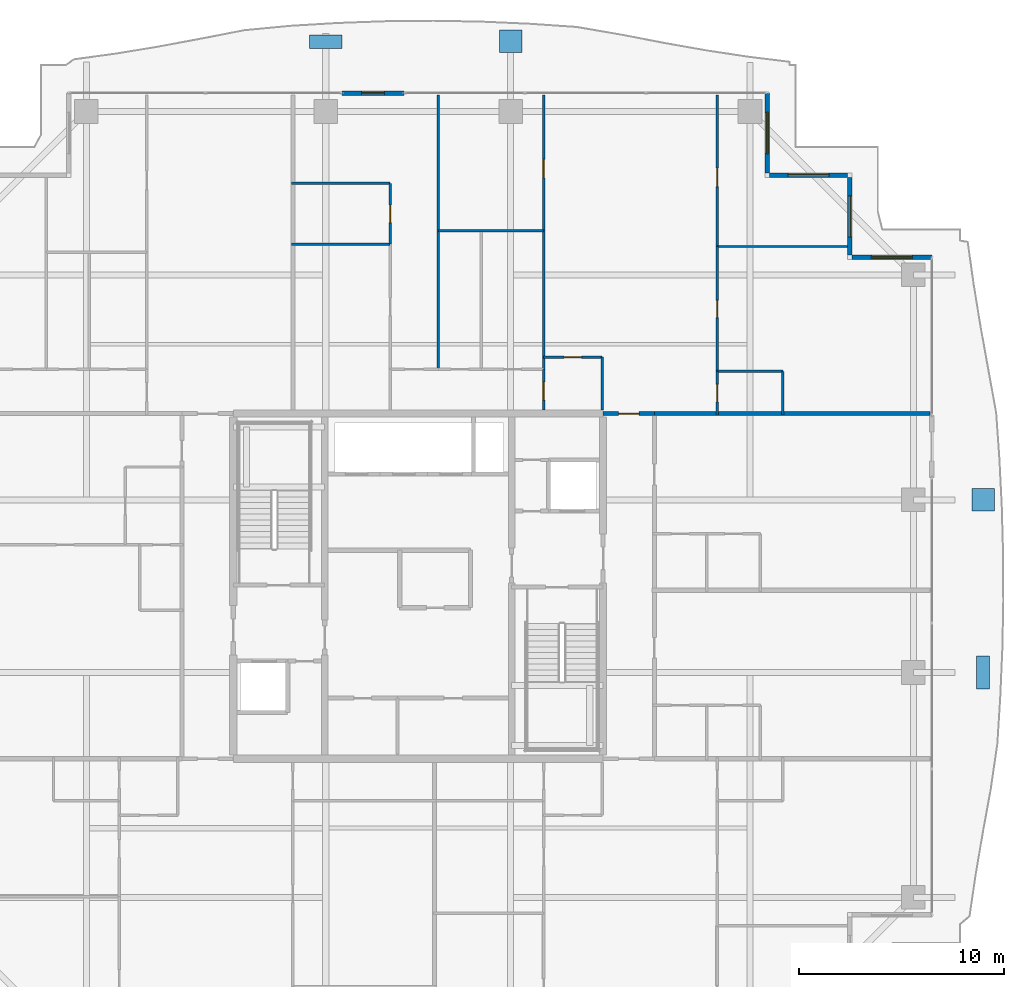
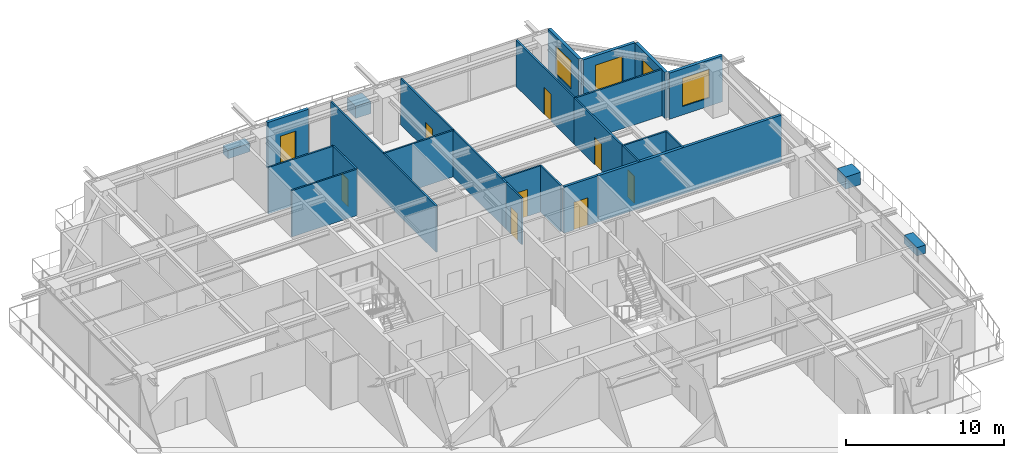
# One storey, part 30 of 37: 23 walls, 9 doors, 4 discrete accessories, 4 windows, 13 openings.
"""IFC4 building model written with IfcOpenShell, lengths in metres."""

from ifc_helpers import new_model, si_unit, direction, frame, frame_2d, origin, origin_2d, place, context, subcontext, project, spatial, rectangle, extrude, source, transform, mapped, material, layer, layer_set, type_object, element, fill, save


model = new_model("IFC4")

# Units and contexts
model_context = context("Model", 3, precision=1e-05, world=origin(), true_north=direction((0.0, 1.0)))
body_context = subcontext(model_context, "Body", "Model", "MODEL_VIEW")
ifc_project = project(units=[si_unit("LENGTHUNIT", "METRE"), si_unit("AREAUNIT", "SQUARE_METRE"), si_unit("VOLUMEUNIT", "CUBIC_METRE"), si_unit("PLANEANGLEUNIT", "RADIAN"), si_unit("MASSUNIT", "GRAM", prefix="KILO")], contexts=[model_context])

# Site, building, storey
site_placement = place(None, origin())
site = spatial("IfcSite", under=ifc_project, at=site_placement, CompositionType="ELEMENT")
building_placement = place(site_placement, origin())
building = spatial("IfcBuilding", under=site, at=building_placement, Name="Serunith Strait Residences", CompositionType="ELEMENT")
storey_placement = place(building_placement, frame((0.0, 0.0, 279.75)))
storey = spatial("IfcBuildingStorey", under=building, at=storey_placement, Name="L70", CompositionType="ELEMENT", Elevation=279.75)

# Wall, opening, window
ifc_material_1 = material(Name="Pale-Champagne Aluminium Insulated Panel", Category="aluminium")
ifc_layer_1 = layer(ifc_material_1, 0.219970703125, Name="Pale-Champagne Aluminium Insulated Panel")
ifc_layer_set_1 = layer_set([ifc_layer_1], Name="Pale-Champagne Aluminium Insulated Panel")
wall_type_1 = type_object("IfcWallType", Name="EW-ALUM-220", PredefinedType="ELEMENTEDWALL", material=ifc_layer_set_1)
wall_1_placement = place(storey_placement, frame((57.39990234375, 41.199951171875, 0.0), z_axis=(0.0, 0.0, 1.0), x_axis=(-1.0, 0.0, 0.0)))
wall_1 = element("IfcWall", 1, at=wall_1_placement, inside=storey, type_object=wall_type_1, Name="L70 Girih Serrated Corner Wall 07", PredefinedType="ELEMENTEDWALL", context=body_context, shape_type="SweptSolid", body=[
    extrude(rectangle(XDim=3.889892578125, YDim=0.219970703125, at=frame_2d((1.94482421875, 0.0))), origin(), (0.0, 0.0, 1.0), 3.574951171875),
])
opening_1_placement = place(wall_1_placement, frame((0.945068359375, 0.0, 0.64990234375)))
opening_1 = element("IfcOpeningElement", 2, at=opening_1_placement, cuts=wall_1, Name="Opening W-04", PredefinedType="OPENING", context=body_context, shape_type="SweptSolid", body=[
    extrude(rectangle(XDim=2.0, YDim=2.199951171875, at=frame_2d((1.0, 1.10009765625))), frame((0.0, 0.1201171875, 0.0), z_axis=(0.0, -1.0, 0.0), x_axis=(1.0, 0.0, 0.0)), (0.0, 0.0, 1.0), 0.239990234375),
])
ifc_material_2 = material(Name="Ceramic-Fritted Operable Aluminium Window Glass", Category="aluminium")
window_type = type_object("IfcWindowType", Name="WIN-C4", PartitioningType="TRIPLE_PANEL_VERTICAL", PredefinedType="WINDOW", material=ifc_material_2)
shared_shape_1 = source(origin(), body_context, "Body", "SweptSolid", [
    extrude(rectangle(XDim=2.0, YDim=2.199951171875, at=frame_2d((1.0, 1.10009765625))), frame((0.0, 0.030029296875, 0.0), z_axis=(0.0, -1.0, 0.0), x_axis=(1.0, 0.0, 0.0)), (0.0, 0.0, 1.0), 0.06005859375),
])
window_1_placement = place(opening_1_placement, origin())
window_1 = element("IfcWindow", 3, at=window_1_placement, inside=storey, type_object=window_type, Name="L70 Corner Operable Fritted Window 07", OverallHeight=2.199951171875, OverallWidth=2.0, PartitioningType="SINGLE_PANEL", PredefinedType="WINDOW", context=body_context, shape_type="MappedRepresentation", body=[
    mapped(shared_shape_1, transform((0.0, 0.0, 0.0), scale=1.0)),
])
fill(opening_1, window_1)

wall_2_placement = place(storey_placement, frame((53.39990234375, 41.31005859375, 0.0), z_axis=(0.0, 0.0, 1.0), x_axis=(0.0, 1.0, 0.0)))
wall_2 = element("IfcWall", 4, at=wall_2_placement, inside=storey, type_object=wall_type_1, Name="L70 Girih Serrated Corner Wall 08", PredefinedType="ELEMENTEDWALL", context=body_context, shape_type="SweptSolid", body=[
    extrude(rectangle(XDim=3.780029296875, YDim=0.219970703125, at=frame_2d((1.89013671875, 0.0))), origin(), (0.0, 0.0, 1.0), 3.574951171875),
])
opening_2_placement = place(wall_2_placement, frame((0.889892578125, 0.0, 0.64990234375)))
opening_2 = element("IfcOpeningElement", 5, at=opening_2_placement, cuts=wall_2, Name="Opening W-04", PredefinedType="OPENING", context=body_context, shape_type="SweptSolid", body=[
    extrude(rectangle(XDim=2.0, YDim=2.199951171875, at=frame_2d((1.0, 1.10009765625))), frame((0.0, 0.1201171875, 0.0), z_axis=(0.0, -1.0, 0.0), x_axis=(1.0, 0.0, 0.0)), (0.0, 0.0, 1.0), 0.239990234375),
])
window_2_placement = place(opening_2_placement, origin())
window_2 = element("IfcWindow", 6, at=window_2_placement, inside=storey, type_object=window_type, Name="L70 Corner Operable Fritted Window 08", OverallHeight=2.199951171875, OverallWidth=2.0, PartitioningType="SINGLE_PANEL", PredefinedType="WINDOW", context=body_context, shape_type="MappedRepresentation", body=[
    mapped(shared_shape_1, transform((0.0, 0.0, 0.0), scale=1.0)),
])
fill(opening_2, window_2)

wall_3_placement = place(storey_placement, frame((53.2900390625, 45.199951171875, 0.0), z_axis=(0.0, 0.0, 1.0), x_axis=(-1.0, 0.0, 0.0)))
wall_3 = element("IfcWall", 7, at=wall_3_placement, inside=storey, type_object=wall_type_1, Name="L70 Girih Serrated Corner Wall 09", PredefinedType="ELEMENTEDWALL", context=body_context, shape_type="SweptSolid", body=[
    extrude(rectangle(XDim=3.780029296875, YDim=0.219970703125, at=frame_2d((1.89013671875, 0.0))), origin(), (0.0, 0.0, 1.0), 3.574951171875),
])
opening_3_placement = place(wall_3_placement, frame((0.889892578125, 0.0, 0.64990234375)))
opening_3 = element("IfcOpeningElement", 8, at=opening_3_placement, cuts=wall_3, Name="Opening W-04", PredefinedType="OPENING", context=body_context, shape_type="SweptSolid", body=[
    extrude(rectangle(XDim=2.0, YDim=2.199951171875, at=frame_2d((1.0, 1.10009765625))), frame((0.0, 0.1201171875, 0.0), z_axis=(0.0, -1.0, 0.0), x_axis=(1.0, 0.0, 0.0)), (0.0, 0.0, 1.0), 0.239990234375),
])
window_3_placement = place(opening_3_placement, origin())
window_3 = element("IfcWindow", 9, at=window_3_placement, inside=storey, type_object=window_type, Name="L70 Corner Operable Fritted Window 09", OverallHeight=2.199951171875, OverallWidth=2.0, PartitioningType="SINGLE_PANEL", PredefinedType="WINDOW", context=body_context, shape_type="MappedRepresentation", body=[
    mapped(shared_shape_1, transform((0.0, 0.0, 0.0), scale=1.0)),
])
fill(opening_3, window_3)

wall_4_placement = place(storey_placement, frame((49.39990234375, 45.31005859375, 0.0), z_axis=(0.0, 0.0, 1.0), x_axis=(0.0, 1.0, 0.0)))
wall_4 = element("IfcWall", 10, at=wall_4_placement, inside=storey, type_object=wall_type_1, Name="L70 Girih Serrated Corner Wall 10", PredefinedType="ELEMENTEDWALL", context=body_context, shape_type="SweptSolid", body=[
    extrude(rectangle(XDim=3.889892578125, YDim=0.219970703125, at=frame_2d((1.94482421875, 0.0))), origin(), (0.0, 0.0, 1.0), 3.574951171875),
])
opening_4_placement = place(wall_4_placement, frame((0.945068359375, 0.0, 0.64990234375)))
opening_4 = element("IfcOpeningElement", 11, at=opening_4_placement, cuts=wall_4, Name="Opening W-04", PredefinedType="OPENING", context=body_context, shape_type="SweptSolid", body=[
    extrude(rectangle(XDim=2.0, YDim=2.199951171875, at=frame_2d((1.0, 1.10009765625))), frame((0.0, 0.1201171875, 0.0), z_axis=(0.0, -1.0, 0.0), x_axis=(1.0, 0.0, 0.0)), (0.0, 0.0, 1.0), 0.239990234375),
])
window_4_placement = place(opening_4_placement, origin())
window_4 = element("IfcWindow", 12, at=window_4_placement, inside=storey, type_object=window_type, Name="L70 Corner Operable Fritted Window 10", OverallHeight=2.199951171875, OverallWidth=2.0, PartitioningType="SINGLE_PANEL", PredefinedType="WINDOW", context=body_context, shape_type="MappedRepresentation", body=[
    mapped(shared_shape_1, transform((0.0, 0.0, 0.0), scale=1.0)),
])
fill(opening_4, window_4)

# Wall, opening, door
wall_5_placement = place(storey_placement, frame((31.699951171875, 49.199951171875, 0.0), z_axis=(0.0, 0.0, 1.0), x_axis=(-1.0, 0.0, 0.0)))
wall_5 = element("IfcWall", 13, at=wall_5_placement, inside=storey, type_object=wall_type_1, Name="L70 N Facade Pier Wall", PredefinedType="ELEMENTEDWALL", context=body_context, shape_type="SweptSolid", body=[
    extrude(rectangle(XDim=3.0, YDim=0.219970703125, at=frame_2d((1.5, 0.0))), origin(), (0.0, 0.0, 1.0), 3.574951171875),
])
opening_5_placement = place(wall_5_placement, frame((0.949951171875, 0.0, 0.0)))
opening_5 = element("IfcOpeningElement", 14, at=opening_5_placement, cuts=wall_5, Name="Opening ED-03", PredefinedType="OPENING", context=body_context, shape_type="SweptSolid", body=[
    extrude(rectangle(XDim=1.10009765625, YDim=2.199951171875, at=frame_2d((0.550048828125, 1.10009765625))), frame((0.0, 0.1201171875, 0.0), z_axis=(0.0, -1.0, 0.0), x_axis=(1.0, 0.0, 0.0)), (0.0, 0.0, 1.0), 0.239990234375),
])
ifc_material_3 = material(Name="Thermally-Broken Aluminium Glazed Balcony Door", Category="aluminium")
door_type_1 = type_object("IfcDoorType", Name="ED-BALC-1100", OperationType="NOTDEFINED", PredefinedType="DOOR", material=ifc_material_3)
shared_shape_2 = source(origin(), body_context, "Body", "SweptSolid", [
    extrude(rectangle(XDim=1.10009765625, YDim=2.199951171875, at=frame_2d((0.550048828125, 1.10009765625))), frame((0.0, 0.02490234375, 0.0), z_axis=(0.0, -1.0, 0.0), x_axis=(1.0, 0.0, 0.0)), (0.0, 0.0, 1.0), 0.050048828125),
])
door_1_placement = place(opening_5_placement, origin())
door_1 = element("IfcDoor", 15, at=door_1_placement, inside=storey, type_object=door_type_1, Name="L70 N Vertical-Forest Balcony Door", OperationType="SINGLE_SWING_RIGHT", OverallHeight=2.199951171875, OverallWidth=1.10009765625, PredefinedType="DOOR", context=body_context, shape_type="MappedRepresentation", body=[
    mapped(shared_shape_2, transform((0.0, 0.0, 0.0), scale=1.0)),
])
fill(opening_5, door_1)

ifc_material_4 = material(Name="Fire-rated acoustic gypsum partition")
ifc_layer_2 = layer(ifc_material_4, 0.179931640625, Name="Fire-rated acoustic gypsum partition")
ifc_layer_set_2 = layer_set([ifc_layer_2], Name="Fire-rated acoustic gypsum partition")
wall_type_2 = type_object("IfcWallType", Name="IW-CORR-180", PredefinedType="PARTITIONING", material=ifc_layer_set_2)
wall_6_placement = place(storey_placement, frame((41.402099609375, 33.60009765625, 0.0), z_axis=(0.0, 0.0, 1.0), x_axis=(1.0, 0.0, 0.0)))
wall_6 = element("IfcWall", 16, at=wall_6_placement, inside=storey, type_object=wall_type_2, Name="L70 Partition Wall 030", PredefinedType="PARTITIONING", context=body_context, shape_type="SweptSolid", body=[
    extrude(rectangle(XDim=2.495849609375, YDim=0.179931640625, at=frame_2d((1.248046875, 0.0))), origin(), (0.0, 0.0, 1.0), 3.590087890625),
])
opening_6_placement = place(wall_6_placement, frame((0.748046875, 0.0, 0.0)))
opening_6 = element("IfcOpeningElement", 17, at=opening_6_placement, cuts=wall_6, Name="Opening D-APT1000", PredefinedType="OPENING", context=body_context, shape_type="SweptSolid", body=[
    extrude(rectangle(XDim=1.0, YDim=2.14990234375, at=frame_2d((0.5, 1.074951171875))), frame((0.0, 0.10009765625, 0.0), z_axis=(0.0, -1.0, 0.0), x_axis=(1.0, 0.0, 0.0)), (0.0, 0.0, 1.0), 0.199951171875),
])
ifc_material_5 = material(Name="Solid timber engineered fire door", Category="wood")
door_type_2 = type_object("IfcDoorType", Name="ID-APT-1000", OperationType="NOTDEFINED", PredefinedType="DOOR", material=ifc_material_5)
shared_shape_3 = source(origin(), body_context, "Body", "SweptSolid", [
    extrude(rectangle(XDim=1.0, YDim=2.14990234375, at=frame_2d((0.5, 1.074951171875))), frame((0.0, 0.02490234375, 0.0), z_axis=(0.0, -1.0, 0.0), x_axis=(1.0, 0.0, 0.0)), (0.0, 0.0, 1.0), 0.050048828125),
])
door_2_placement = place(opening_6_placement, origin())
door_2 = element("IfcDoor", 18, at=door_2_placement, inside=storey, type_object=door_type_2, Name="L70 Unit 04 Entrance Door", OperationType="SINGLE_SWING_RIGHT", OverallHeight=2.14990234375, OverallWidth=1.0, PredefinedType="DOOR", context=body_context, shape_type="MappedRepresentation", body=[
    mapped(shared_shape_3, transform((0.0, 0.0, 0.0), scale=1.0)),
])
fill(opening_6, door_2)

ifc_material_6 = material(Name="Lightweight steel-stud gypsum partition", Category="steel")
ifc_layer_3 = layer(ifc_material_6, 0.1201171875, Name="Lightweight steel-stud gypsum partition")
ifc_layer_set_3 = layer_set([ifc_layer_3], Name="Lightweight steel-stud gypsum partition")
wall_type_3 = type_object("IfcWallType", Name="IW-PART-120", PredefinedType="PARTITIONING", material=ifc_layer_set_3)
wall_7_placement = place(storey_placement, frame((38.5, 36.35009765625, 0.0), z_axis=(0.0, 0.0, 1.0), x_axis=(1.0, 0.0, 0.0)))
wall_7 = element("IfcWall", 19, at=wall_7_placement, inside=storey, type_object=wall_type_3, Name="L70 Partition Wall 071", PredefinedType="PARTITIONING", context=body_context, shape_type="SweptSolid", body=[
    extrude(rectangle(XDim=2.85009765625, YDim=0.1201171875, at=frame_2d((1.425048828125, 0.0))), origin(), (0.0, 0.0, 1.0), 3.590087890625),
])
opening_7_placement = place(wall_7_placement, frame((1.0, 0.0, 0.0)))
opening_7 = element("IfcOpeningElement", 20, at=opening_7_placement, cuts=wall_7, Name="Opening D-RM850", PredefinedType="OPENING", context=body_context, shape_type="SweptSolid", body=[
    extrude(rectangle(XDim=0.85009765625, YDim=2.10009765625, at=frame_2d((0.425048828125, 1.050048828125))), frame((0.0, 0.070068359375, 0.0), z_axis=(0.0, -1.0, 0.0), x_axis=(1.0, 0.0, 0.0)), (0.0, 0.0, 1.0), 0.14013671875),
])
ifc_material_7 = material(Name="Engineered timber flush study and kitchen door", Category="wood")
door_type_3 = type_object("IfcDoorType", Name="ID-ROOM-850", OperationType="NOTDEFINED", PredefinedType="DOOR", material=ifc_material_7)
shared_shape_4 = source(origin(), body_context, "Body", "SweptSolid", [
    extrude(rectangle(XDim=0.85009765625, YDim=2.10009765625, at=frame_2d((0.425048828125, 1.050048828125))), frame((0.0, 0.02490234375, 0.0), z_axis=(0.0, -1.0, 0.0), x_axis=(1.0, 0.0, 0.0)), (0.0, 0.0, 1.0), 0.050048828125),
])
door_3_placement = place(opening_7_placement, origin())
door_3 = element("IfcDoor", 21, at=door_3_placement, inside=storey, type_object=door_type_3, Name="L70 Kitchen 7004 Door", OperationType="SINGLE_SWING_RIGHT", OverallHeight=2.10009765625, OverallWidth=0.85009765625, PredefinedType="DOOR", context=body_context, shape_type="MappedRepresentation", body=[
    mapped(shared_shape_4, transform((0.0, 0.0, 0.0), scale=1.0)),
])
fill(opening_7, door_3)

# Wall
wall_8_placement = place(storey_placement, frame((41.35009765625, 36.35009765625, 0.0), z_axis=(0.0, 0.0, 1.0), x_axis=(0.0, -1.0, 0.0)))
element("IfcWall", 22, at=wall_8_placement, inside=storey, type_object=wall_type_3, Name="L70 Partition Wall 072", PredefinedType="PARTITIONING", context=body_context, shape_type="SweptSolid", body=[
    extrude(rectangle(XDim=2.5751953125, YDim=0.1201171875, at=frame_2d((1.28759765625, 0.0))), origin(), (0.0, 0.0, 1.0), 3.590087890625),
])

# Wall, opening, door
wall_9_placement = place(storey_placement, frame((38.5, 35.75, 0.0), z_axis=(0.0, 0.0, 1.0), x_axis=(0.0, -1.0, 0.0)))
wall_9 = element("IfcWall", 23, at=wall_9_placement, inside=storey, type_object=wall_type_3, Name="L70 Partition Wall 073", PredefinedType="PARTITIONING", context=body_context, shape_type="SweptSolid", body=[
    extrude(rectangle(XDim=1.97509765625, YDim=0.1201171875, at=frame_2d((0.987548828125, 0.0))), origin(), (0.0, 0.0, 1.0), 3.590087890625),
])
opening_8_placement = place(wall_9_placement, frame((0.60107421875, 0.0, 0.0)))
opening_8 = element("IfcOpeningElement", 24, at=opening_8_placement, cuts=wall_9, Name="Opening D-RM900", PredefinedType="OPENING", context=body_context, shape_type="SweptSolid", body=[
    extrude(rectangle(XDim=0.89990234375, YDim=2.10009765625, at=frame_2d((0.449951171875, 1.050048828125))), frame((0.0, 0.070068359375, 0.0), z_axis=(0.0, -1.0, 0.0), x_axis=(1.0, 0.0, 0.0)), (0.0, 0.0, 1.0), 0.14013671875),
])
ifc_material_8 = material(Name="Engineered timber flush bedroom door", Category="wood")
door_type_4 = type_object("IfcDoorType", Name="ID-ROOM-900", OperationType="NOTDEFINED", PredefinedType="DOOR", material=ifc_material_8)
shared_shape_5 = source(origin(), body_context, "Body", "SweptSolid", [
    extrude(rectangle(XDim=0.89990234375, YDim=2.10009765625, at=frame_2d((0.449951171875, 1.050048828125))), frame((0.0, 0.02490234375, 0.0), z_axis=(0.0, -1.0, 0.0), x_axis=(1.0, 0.0, 0.0)), (0.0, 0.0, 1.0), 0.050048828125),
])
door_4_placement = place(opening_8_placement, origin())
door_4 = element("IfcDoor", 25, at=door_4_placement, inside=storey, type_object=door_type_4, Name="L70 Hall W 7004 Door", OperationType="SINGLE_SWING_LEFT", OverallHeight=2.10009765625, OverallWidth=0.89990234375, PredefinedType="DOOR", context=body_context, shape_type="MappedRepresentation", body=[
    mapped(shared_shape_5, transform((0.0, 0.0, 0.0), scale=1.0)),
])
fill(opening_8, door_4)

wall_10_placement = place(storey_placement, frame((38.5, 49.10498046875, 0.0), z_axis=(0.0, 0.0, 1.0), x_axis=(0.0, -1.0, 0.0)))
wall_10 = element("IfcWall", 26, at=wall_10_placement, inside=storey, type_object=wall_type_3, Name="L70 Partition Wall 074", PredefinedType="PARTITIONING", context=body_context, shape_type="SweptSolid", body=[
    extrude(rectangle(XDim=6.60400390625, YDim=0.1201171875, at=frame_2d((3.302001953125, 0.0))), origin(), (0.0, 0.0, 1.0), 3.590087890625),
])
opening_9_placement = place(wall_10_placement, frame((3.136962890625, 0.0, 0.0)))
opening_9 = element("IfcOpeningElement", 27, at=opening_9_placement, cuts=wall_10, Name="Opening D-RM900", PredefinedType="OPENING", context=body_context, shape_type="SweptSolid", body=[
    extrude(rectangle(XDim=0.89990234375, YDim=2.10009765625, at=frame_2d((0.449951171875, 1.050048828125))), frame((0.0, 0.070068359375, 0.0), z_axis=(0.0, -1.0, 0.0), x_axis=(1.0, 0.0, 0.0)), (0.0, 0.0, 1.0), 0.14013671875),
])
door_5_placement = place(opening_9_placement, origin())
door_5 = element("IfcDoor", 28, at=door_5_placement, inside=storey, type_object=door_type_4, Name="L70 Formal Dining Room 1 7004 Door", OperationType="SINGLE_SWING_RIGHT", OverallHeight=2.10009765625, OverallWidth=0.89990234375, PredefinedType="DOOR", context=body_context, shape_type="MappedRepresentation", body=[
    mapped(shared_shape_5, transform((0.0, 0.0, 0.0), scale=1.0)),
])
fill(opening_9, door_5)

# Walls
wall_11_placement = place(storey_placement, frame((38.5, 42.4990234375, 0.0), z_axis=(0.0, 0.0, 1.0), x_axis=(0.0, -1.0, 0.0)))
element("IfcWall", 29, at=wall_11_placement, inside=storey, type_object=wall_type_3, Name="L70 Partition Wall 075", PredefinedType="PARTITIONING", context=body_context, shape_type="SweptSolid", body=[
    extrude(rectangle(XDim=6.7470703125, YDim=0.1201171875, at=frame_2d((3.37353515625, 0.0))), origin(), (0.0, 0.0, 1.0), 3.590087890625),
])
wall_12_placement = place(storey_placement, frame((33.3798828125, 42.5009765625, 0.0), z_axis=(0.0, 0.0, 1.0), x_axis=(1.0, 0.0, 0.0)))
element("IfcWall", 30, at=wall_12_placement, inside=storey, type_object=wall_type_3, Name="L70 Partition Wall 076", PredefinedType="PARTITIONING", context=body_context, shape_type="SweptSolid", body=[
    extrude(rectangle(XDim=5.1201171875, YDim=0.1201171875, at=frame_2d((2.56005859375, 0.0))), origin(), (0.0, 0.0, 1.0), 3.590087890625),
])
wall_13_placement = place(storey_placement, frame((33.3798828125, 49.10498046875, 0.0), z_axis=(0.0, 0.0, 1.0), x_axis=(0.0, -1.0, 0.0)))
element("IfcWall", 31, at=wall_13_placement, inside=storey, type_object=wall_type_3, Name="L70 Partition Wall 077", PredefinedType="PARTITIONING", context=body_context, shape_type="SweptSolid", body=[
    extrude(rectangle(XDim=13.35498046875, YDim=0.1201171875, at=frame_2d((6.677490234375, 0.0))), origin(), (0.0, 0.0, 1.0), 3.590087890625),
])
for number, where, z_axis, x_axis, name in (
    (32, (26.239990234375, 44.804931640625, 0.0), (0.0, 0.0, 1.0), (1.0, 0.0, 0.0), "L70 Partition Wall 082"),
    (33, (26.239990234375, 41.844970703125, 0.0), (0.0, 0.0, 1.0), (1.0, 0.0, 0.0), "L70 Partition Wall 083"),
):
    element("IfcWall", number, at=place(storey_placement, frame(where, z_axis=z_axis, x_axis=x_axis)), inside=storey, type_object=wall_type_3, Name=name, PredefinedType="PARTITIONING", context=body_context, shape_type="SweptSolid", body=[
        extrude(rectangle(XDim=4.7900390625, YDim=0.1201171875, at=frame_2d((2.39501953125, 0.0))), origin(), (0.0, 0.0, 1.0), 3.590087890625),
    ])

# Wall, opening, door
wall_14_placement = place(storey_placement, frame((31.030029296875, 44.804931640625, 0.0), z_axis=(0.0, 0.0, 1.0), x_axis=(0.0, -1.0, 0.0)))
wall_14 = element("IfcWall", 34, at=wall_14_placement, inside=storey, type_object=wall_type_3, Name="L70 Partition Wall 084", PredefinedType="PARTITIONING", context=body_context, shape_type="SweptSolid", body=[
    extrude(rectangle(XDim=2.9599609375, YDim=0.1201171875, at=frame_2d((1.47998046875, 0.0))), origin(), (0.0, 0.0, 1.0), 3.590087890625),
])
opening_10_placement = place(wall_14_placement, frame((1.054931640625, 0.0, 0.0)))
opening_10 = element("IfcOpeningElement", 35, at=opening_10_placement, cuts=wall_14, Name="Opening D-BTH850", PredefinedType="OPENING", context=body_context, shape_type="SweptSolid", body=[
    extrude(rectangle(XDim=0.85009765625, YDim=2.10009765625, at=frame_2d((0.425048828125, 1.050048828125))), frame((0.0, 0.070068359375, 0.0), z_axis=(0.0, -1.0, 0.0), x_axis=(1.0, 0.0, 0.0)), (0.0, 0.0, 1.0), 0.14013671875),
])
ifc_material_9 = material(Name="Moisture-resistant timber bathroom door", Category="wood")
door_type_5 = type_object("IfcDoorType", Name="ID-BATH-850", OperationType="NOTDEFINED", PredefinedType="DOOR", material=ifc_material_9)
door_6_placement = place(opening_10_placement, origin())
door_6 = element("IfcDoor", 36, at=door_6_placement, inside=storey, type_object=door_type_5, Name="L70 En-suite Bathroom W 7004 Door", OperationType="SINGLE_SWING_RIGHT", OverallHeight=2.10009765625, OverallWidth=0.85009765625, PredefinedType="DOOR", context=body_context, shape_type="MappedRepresentation", body=[
    mapped(shared_shape_4, transform((0.0, 0.0, 0.0), scale=1.0)),
])
fill(opening_10, door_6)

wall_15_placement = place(storey_placement, frame((46.949951171875, 49.10498046875, 0.0), z_axis=(0.0, 0.0, 1.0), x_axis=(0.0, -1.0, 0.0)))
wall_15 = element("IfcWall", 37, at=wall_15_placement, inside=storey, type_object=wall_type_3, Name="L70 Partition Wall 087", PredefinedType="PARTITIONING", context=body_context, shape_type="SweptSolid", body=[
    extrude(rectangle(XDim=7.373046875, YDim=0.1201171875, at=frame_2d((3.6865234375, 0.0))), origin(), (0.0, 0.0, 1.0), 3.590087890625),
])
opening_11_placement = place(wall_15_placement, frame((3.56005859375, 0.0, 0.0)))
opening_11 = element("IfcOpeningElement", 38, at=opening_11_placement, cuts=wall_15, Name="Opening D-RM900", PredefinedType="OPENING", context=body_context, shape_type="SweptSolid", body=[
    extrude(rectangle(XDim=0.89990234375, YDim=2.10009765625, at=frame_2d((0.449951171875, 1.050048828125))), frame((0.0, 0.070068359375, 0.0), z_axis=(0.0, -1.0, 0.0), x_axis=(1.0, 0.0, 0.0)), (0.0, 0.0, 1.0), 0.14013671875),
])
door_7_placement = place(opening_11_placement, origin())
door_7 = element("IfcDoor", 39, at=door_7_placement, inside=storey, type_object=door_type_4, Name="L70 Bedroom 3 7004 Door", OperationType="SINGLE_SWING_RIGHT", OverallHeight=2.10009765625, OverallWidth=0.89990234375, PredefinedType="DOOR", context=body_context, shape_type="MappedRepresentation", body=[
    mapped(shared_shape_5, transform((0.0, 0.0, 0.0), scale=1.0)),
])
fill(opening_11, door_7)

# Walls
wall_16_placement = place(storey_placement, frame((46.949951171875, 41.73193359375, 0.0), z_axis=(0.0, 0.0, 1.0), x_axis=(1.0, 0.0, 0.0)))
element("IfcWall", 40, at=wall_16_placement, inside=storey, type_object=wall_type_3, Name="L70 Partition Wall 088", PredefinedType="PARTITIONING", context=body_context, shape_type="SweptSolid", body=[
    extrude(rectangle(XDim=6.35498046875, YDim=0.1201171875, at=frame_2d((3.177490234375, 0.0))), origin(), (0.0, 0.0, 1.0), 3.590087890625),
])
wall_17_placement = place(storey_placement, frame((46.949951171875, 35.64990234375, 0.0), z_axis=(0.0, 0.0, 1.0), x_axis=(1.0, 0.0, 0.0)))
element("IfcWall", 41, at=wall_17_placement, inside=storey, type_object=wall_type_3, Name="L70 Partition Wall 089", PredefinedType="PARTITIONING", context=body_context, shape_type="SweptSolid", body=[
    extrude(rectangle(XDim=3.199951171875, YDim=0.1201171875, at=frame_2d((1.60009765625, 0.0))), origin(), (0.0, 0.0, 1.0), 3.590087890625),
])
wall_18_placement = place(storey_placement, frame((50.14990234375, 35.64990234375, 0.0), z_axis=(0.0, 0.0, 1.0), x_axis=(0.0, -1.0, 0.0)))
element("IfcWall", 42, at=wall_18_placement, inside=storey, type_object=wall_type_3, Name="L70 Partition Wall 090", PredefinedType="PARTITIONING", context=body_context, shape_type="SweptSolid", body=[
    extrude(rectangle(XDim=2.10986328125, YDim=0.1201171875, at=frame_2d((1.054931640625, 0.0))), origin(), (0.0, 0.0, 1.0), 3.590087890625),
])

# Wall, opening, door
wall_19_placement = place(storey_placement, frame((46.949951171875, 41.72998046875, 0.0), z_axis=(0.0, 0.0, 1.0), x_axis=(0.0, -1.0, 0.0)))
wall_19 = element("IfcWall", 43, at=wall_19_placement, inside=storey, type_object=wall_type_3, Name="L70 Partition Wall 091", PredefinedType="PARTITIONING", context=body_context, shape_type="SweptSolid", body=[
    extrude(rectangle(XDim=6.080078125, YDim=0.1201171875, at=frame_2d((3.0400390625, 0.0))), origin(), (0.0, 0.0, 1.0), 3.590087890625),
])
opening_12_placement = place(wall_19_placement, frame((2.614990234375, 0.0, 0.0)))
opening_12 = element("IfcOpeningElement", 44, at=opening_12_placement, cuts=wall_19, Name="Opening D-RM850", PredefinedType="OPENING", context=body_context, shape_type="SweptSolid", body=[
    extrude(rectangle(XDim=0.85009765625, YDim=2.10009765625, at=frame_2d((0.425048828125, 1.050048828125))), frame((0.0, 0.070068359375, 0.0), z_axis=(0.0, -1.0, 0.0), x_axis=(1.0, 0.0, 0.0)), (0.0, 0.0, 1.0), 0.14013671875),
])
door_8_placement = place(opening_12_placement, origin())
door_8 = element("IfcDoor", 45, at=door_8_placement, inside=storey, type_object=door_type_3, Name="L70 Walk-in Wardrobe 7004 Door", OperationType="SINGLE_SWING_LEFT", OverallHeight=2.10009765625, OverallWidth=0.85009765625, PredefinedType="DOOR", context=body_context, shape_type="MappedRepresentation", body=[
    mapped(shared_shape_4, transform((0.0, 0.0, 0.0), scale=1.0)),
])
fill(opening_12, door_8)

wall_20_placement = place(storey_placement, frame((46.949951171875, 35.64794921875, 0.0), z_axis=(0.0, 0.0, 1.0), x_axis=(0.0, -1.0, 0.0)))
wall_20 = element("IfcWall", 46, at=wall_20_placement, inside=storey, type_object=wall_type_3, Name="L70 Partition Wall 092", PredefinedType="PARTITIONING", context=body_context, shape_type="SweptSolid", body=[
    extrude(rectangle(XDim=2.10791015625, YDim=0.1201171875, at=frame_2d((1.053955078125, 0.0))), origin(), (0.0, 0.0, 1.0), 3.590087890625),
])
opening_13_placement = place(wall_20_placement, frame((0.62890625, 0.0, 0.0)))
opening_13 = element("IfcOpeningElement", 47, at=opening_13_placement, cuts=wall_20, Name="Opening D-BTH850", PredefinedType="OPENING", context=body_context, shape_type="SweptSolid", body=[
    extrude(rectangle(XDim=0.85009765625, YDim=2.10009765625, at=frame_2d((0.425048828125, 1.050048828125))), frame((0.0, 0.070068359375, 0.0), z_axis=(0.0, -1.0, 0.0), x_axis=(1.0, 0.0, 0.0)), (0.0, 0.0, 1.0), 0.14013671875),
])
door_9_placement = place(opening_13_placement, origin())
door_9 = element("IfcDoor", 48, at=door_9_placement, inside=storey, type_object=door_type_5, Name="L70 Bathroom 7004 Door", OperationType="SINGLE_SWING_RIGHT", OverallHeight=2.10009765625, OverallWidth=0.85009765625, PredefinedType="DOOR", context=body_context, shape_type="MappedRepresentation", body=[
    mapped(shared_shape_4, transform((0.0, 0.0, 0.0), scale=1.0)),
])
fill(opening_13, door_9)

# Wall
ifc_material_10 = material(Name="Twin-stud acoustic gypsum board partition")
ifc_layer_4 = layer(ifc_material_10, 0.199951171875, Name="Twin-stud acoustic gypsum board partition")
ifc_layer_set_4 = layer_set([ifc_layer_4], Name="Twin-stud acoustic gypsum board partition")
wall_type_4 = type_object("IfcWallType", Name="IW-PARTY-200", PredefinedType="PARTITIONING", material=ifc_layer_set_4)
wall_21_placement = place(storey_placement, frame((43.89990234375, 33.60009765625, 0.0), z_axis=(0.0, 0.0, 1.0), x_axis=(1.0, 0.0, 0.0)))
element("IfcWall", 49, at=wall_21_placement, inside=storey, type_object=wall_type_4, Name="L70 Partition Wall 025", PredefinedType="PARTITIONING", context=body_context, shape_type="SweptSolid", body=[
    extrude(rectangle(XDim=13.418212890625, YDim=0.199951171875, at=frame_2d((6.708984375, 0.0))), origin(), (0.0, 0.0, 1.0), 3.590087890625),
])

# Discrete accessories
ifc_material_11 = material(Name="GFRC Root-Anchored Structural Planter")
discrete_accessory_type_1 = type_object("IfcDiscreteAccessoryType", Name="ACC-PLANTER-TREE", PredefinedType="USERDEFINED", material=ifc_material_11)
shared_shape_6 = source(origin(), body_context, "Body", "SweptSolid", [
    extrude(rectangle(XDim=1.10009765625, YDim=1.10009765625, at=origin_2d()), origin(), (0.0, 0.0, 1.0), 0.949951171875),
])
for number, where, z_axis, x_axis, name in (
    (50, (36.89990234375, 51.727294921875, -0.0498046875), (0.0, 0.0, 1.0), (-1.0, 0.0, 0.0), "L70 Vertical-Forest Tree Planter 07"),
    (51, (59.899658203125, 29.39990234375, -0.0498046875), (0.0, 0.0, 1.0), (0.0, 1.0, 0.0), "L70 Vertical-Forest Tree Planter 11"),
):
    element("IfcDiscreteAccessory", number, at=place(storey_placement, frame(where, z_axis=z_axis, x_axis=x_axis)), inside=storey, type_object=discrete_accessory_type_1, Name=name, ObjectType="PLANTER", PredefinedType="USERDEFINED", context=body_context, shape_type="MappedRepresentation", body=[
        mapped(shared_shape_6, transform((0.0, 0.0, 0.0), scale=1.0)),
    ])
ifc_material_12 = material(Name="GFRC Irrigated Shrub Trough Planter")
discrete_accessory_type_2 = type_object("IfcDiscreteAccessoryType", Name="ACC-PLANTER-SHRUB", PredefinedType="USERDEFINED", material=ifc_material_12)
shared_shape_7 = source(origin(), body_context, "Body", "SweptSolid", [
    extrude(rectangle(XDim=1.60009765625, YDim=0.64990234375, at=origin_2d()), origin(), (0.0, 0.0, 1.0), 0.64990234375),
])
for number, where, z_axis, x_axis, name in (
    (52, (27.89990234375, 51.68994140625, -0.050048828125), (0.0, 0.0, 1.0), (-1.0, 0.0, 0.0), "L70 Vertical-Forest Shrub Planter 06"),
    (53, (59.893310546875, 21.0, -0.050048828125), (0.0, 0.0, 1.0), (0.0, 1.0, 0.0), "L70 Vertical-Forest Shrub Planter 10"),
):
    element("IfcDiscreteAccessory", number, at=place(storey_placement, frame(where, z_axis=z_axis, x_axis=x_axis)), inside=storey, type_object=discrete_accessory_type_2, Name=name, ObjectType="PLANTER", PredefinedType="USERDEFINED", context=body_context, shape_type="MappedRepresentation", body=[
        mapped(shared_shape_7, transform((0.0, 0.0, 0.0), scale=1.0)),
    ])

save(model, "model.ifc")
